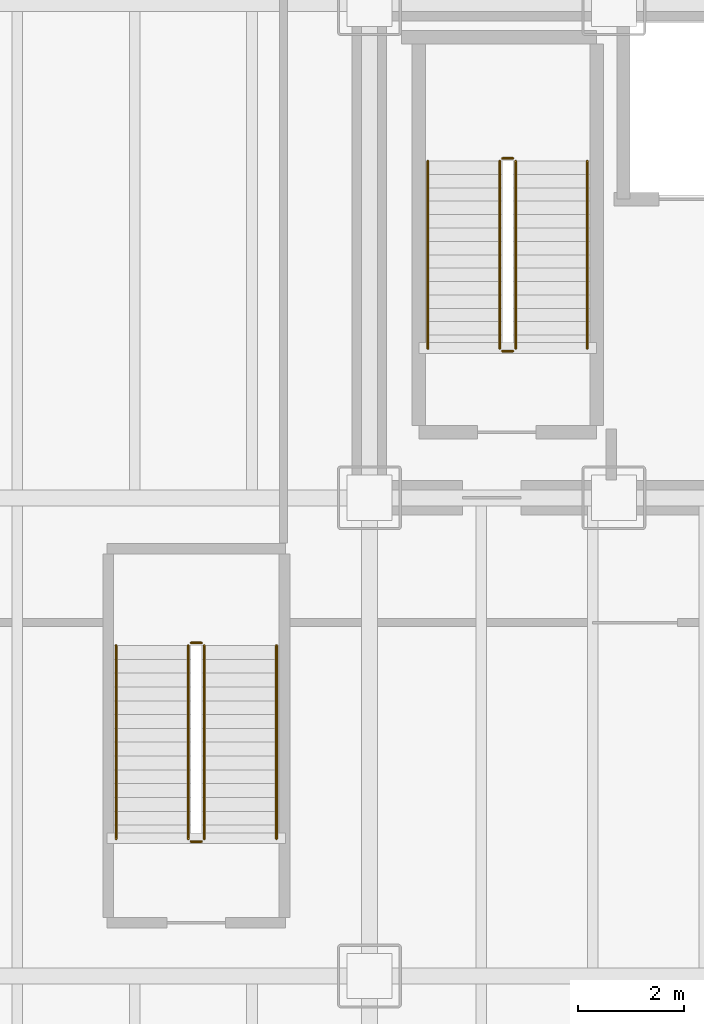
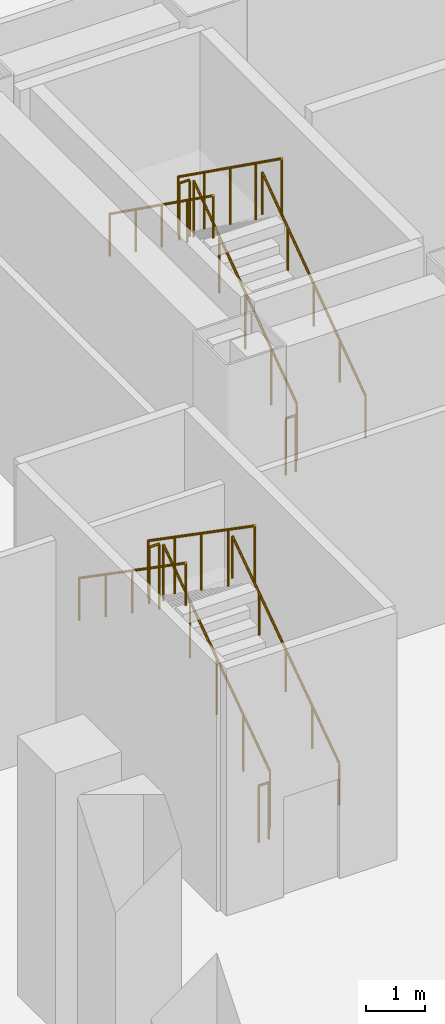
# One storey, part 27 of 31: 12 railings.
"""IFC4 building model written with IfcOpenShell, lengths in metres."""

from ifc_helpers import new_model, si_unit, direction, frame, origin, origin_2d, place, context, subcontext, project, spatial, circle, extrude, material, layer, layer_set, type_object, element, save


model = new_model("IFC4")

# Units and contexts
model_context = context("Model", 3, precision=1e-05, world=origin(), true_north=direction((0.0, 1.0)))
body_context = subcontext(model_context, "Body", "Model", "MODEL_VIEW")
ifc_project = project(units=[si_unit("LENGTHUNIT", "METRE"), si_unit("AREAUNIT", "SQUARE_METRE"), si_unit("VOLUMEUNIT", "CUBIC_METRE"), si_unit("PLANEANGLEUNIT", "RADIAN"), si_unit("MASSUNIT", "GRAM", prefix="KILO")], contexts=[model_context])

# Site, building, storey
site_placement = place(None, origin())
site = spatial("IfcSite", under=ifc_project, at=site_placement, CompositionType="ELEMENT")
building_placement = place(site_placement, origin())
building = spatial("IfcBuilding", under=site, at=building_placement, Name="Noeulbin Bourse Tower", CompositionType="ELEMENT")
storey_placement = place(building_placement, frame((0.0, 0.0, 11.199951171875)))
storey = spatial("IfcBuildingStorey", under=building, at=storey_placement, Name="L03", CompositionType="ELEMENT", Elevation=11.199951171875)

# Railings
ifc_material_1 = material(Name="Painted Tubular Steel S355", Category="steel")
ifc_layer_1 = layer(ifc_material_1, 0.048095703125)
ifc_layer_set_1 = layer_set([ifc_layer_1], Name="Painted Tubular Steel S355")
railing_type_1 = type_object("IfcRailingType", Name="RLG-STR-GRD", PredefinedType="GUARDRAIL", material=ifc_layer_set_1)
railing_1_placement = place(storey_placement, frame((16.25, 31.81005859375, 0.179931640625)))
element("IfcRailing", 1, at=railing_1_placement, inside=storey, type_object=railing_type_1, Name="L03 ST-1 stair guard 1", PredefinedType="GUARDRAIL", context=body_context, shape_type="SweptSolid", body=[
    extrude(circle(Radius=0.02392578125, at=origin_2d()), frame((0.0, 0.0, 1.17578125), z_axis=(0.0, 0.813718251284, 0.581259501021), x_axis=(-1.0, 0.0, 0.0)), (0.0, 0.0, 1.0), 4.33544921875),
    extrude(circle(Radius=0.02099609375, at=origin_2d()), origin(), (0.0, 0.0, 1.0), 1.15185546875),
    extrude(circle(Radius=0.02099609375, at=origin_2d()), frame((0.0, 0.8818359375, 0.6298828125)), (0.0, 0.0, 1.0), 1.15185546875),
    extrude(circle(Radius=0.02099609375, at=origin_2d()), frame((0.0, 1.763916015625, 1.260009765625)), (0.0, 0.0, 1.0), 1.15185546875),
    extrude(circle(Radius=0.02099609375, at=origin_2d()), frame((0.0, 2.64599609375, 1.89013671875)), (0.0, 0.0, 1.0), 1.15185546875),
    extrude(circle(Radius=0.02099609375, at=origin_2d()), frame((0.0, 3.52783203125, 2.52001953125)), (0.0, 0.0, 1.0), 1.15185546875),
])
railing_2_placement = place(storey_placement, frame((16.199951171875, 35.387939453125, 2.699951171875)))
element("IfcRailing", 2, at=railing_2_placement, inside=storey, type_object=railing_type_1, Name="L03 ST-1 stair guard 2", PredefinedType="GUARDRAIL", context=body_context, shape_type="SweptSolid", body=[
    extrude(circle(Radius=0.02392578125, at=origin_2d()), frame((0.0, 0.0, 1.17578125), z_axis=(-1.0, 0.0, 0.0), x_axis=(0.0, -1.0, 0.0)), (0.0, 0.0, 1.0), 0.199951171875),
    extrude(circle(Radius=0.02099609375, at=origin_2d()), origin(), (0.0, 0.0, 1.0), 1.15185546875),
    extrude(circle(Radius=0.02099609375, at=origin_2d()), frame((-0.199951171875, 0.0, 0.0)), (0.0, 0.0, 1.0), 1.15185546875),
])
railing_3_placement = place(storey_placement, frame((15.949951171875, 35.337890625, 2.880126953125)))
element("IfcRailing", 3, at=railing_3_placement, inside=storey, type_object=railing_type_1, Name="L03 ST-1 stair guard 3", PredefinedType="GUARDRAIL", context=body_context, shape_type="SweptSolid", body=[
    extrude(circle(Radius=0.02392578125, at=origin_2d()), frame((0.0, 0.0, 1.17578125), z_axis=(0.0, -0.813718251284, 0.581259501021), x_axis=(1.0, 0.0, 0.0)), (0.0, 0.0, 1.0), 4.33544921875),
    extrude(circle(Radius=0.02099609375, at=origin_2d()), origin(), (0.0, 0.0, 1.0), 1.15185546875),
    extrude(circle(Radius=0.02099609375, at=origin_2d()), frame((0.0, -0.8818359375, 0.6298828125)), (0.0, 0.0, 1.0), 1.15185546875),
    extrude(circle(Radius=0.02099609375, at=origin_2d()), frame((0.0, -1.763916015625, 1.260009765625)), (0.0, 0.0, 1.0), 1.15185546875),
    extrude(circle(Radius=0.02099609375, at=origin_2d()), frame((0.0, -2.64599609375, 1.89013671875)), (0.0, 0.0, 1.0), 1.15185546875),
    extrude(circle(Radius=0.02099609375, at=origin_2d()), frame((0.0, -3.52783203125, 2.52001953125)), (0.0, 0.0, 1.0), 1.15185546875),
])
railing_4_placement = place(storey_placement, frame((16.199951171875, 31.760009765625, 0.0)))
element("IfcRailing", 4, at=railing_4_placement, inside=storey, type_object=railing_type_1, Name="L03 ST-1 stair guard 4", PredefinedType="GUARDRAIL", context=body_context, shape_type="SweptSolid", body=[
    extrude(circle(Radius=0.02392578125, at=origin_2d()), frame((0.0, 0.0, 1.17578125), z_axis=(-1.0, 0.0, 0.0), x_axis=(0.0, -1.0, 0.0)), (0.0, 0.0, 1.0), 0.199951171875),
    extrude(circle(Radius=0.02099609375, at=origin_2d()), origin(), (0.0, 0.0, 1.0), 1.15185546875),
    extrude(circle(Radius=0.02099609375, at=origin_2d()), frame((-0.199951171875, 0.0, 0.0)), (0.0, 0.0, 1.0), 1.15185546875),
])
railing_5_placement = place(storey_placement, frame((10.389892578125, 22.580078125, 0.179931640625)))
element("IfcRailing", 5, at=railing_5_placement, inside=storey, type_object=railing_type_1, Name="L03 ST-P1 stair guard 1", PredefinedType="GUARDRAIL", context=body_context, shape_type="SweptSolid", body=[
    extrude(circle(Radius=0.02392578125, at=origin_2d()), frame((0.0, 0.0, 1.17578125), z_axis=(0.0, 0.822182265111, 0.569224316888), x_axis=(-1.0, 0.0, 0.0)), (0.0, 0.0, 1.0), 4.427001953125),
    extrude(circle(Radius=0.02099609375, at=origin_2d()), origin(), (0.0, 0.0, 1.0), 1.15185546875),
    extrude(circle(Radius=0.02099609375, at=origin_2d()), frame((0.0, 0.909912109375, 0.6298828125)), (0.0, 0.0, 1.0), 1.15185546875),
    extrude(circle(Radius=0.02099609375, at=origin_2d()), frame((0.0, 1.81982421875, 1.260009765625)), (0.0, 0.0, 1.0), 1.15185546875),
    extrude(circle(Radius=0.02099609375, at=origin_2d()), frame((0.0, 2.72998046875, 1.89013671875)), (0.0, 0.0, 1.0), 1.15185546875),
    extrude(circle(Radius=0.02099609375, at=origin_2d()), frame((0.0, 3.639892578125, 2.52001953125)), (0.0, 0.0, 1.0), 1.15185546875),
])
railing_6_placement = place(storey_placement, frame((10.340087890625, 26.27001953125, 2.699951171875)))
element("IfcRailing", 6, at=railing_6_placement, inside=storey, type_object=railing_type_1, Name="L03 ST-P1 stair guard 2", PredefinedType="GUARDRAIL", context=body_context, shape_type="SweptSolid", body=[
    extrude(circle(Radius=0.02392578125, at=origin_2d()), frame((0.0, 0.0, 1.17578125), z_axis=(-1.0, 0.0, 0.0), x_axis=(0.0, -1.0, 0.0)), (0.0, 0.0, 1.0), 0.2001953125),
    extrude(circle(Radius=0.02099609375, at=origin_2d()), origin(), (0.0, 0.0, 1.0), 1.15185546875),
    extrude(circle(Radius=0.02099609375, at=origin_2d()), frame((-0.2001953125, 0.0, 0.0)), (0.0, 0.0, 1.0), 1.15185546875),
])
railing_7_placement = place(storey_placement, frame((10.090087890625, 26.219970703125, 2.880126953125)))
element("IfcRailing", 7, at=railing_7_placement, inside=storey, type_object=railing_type_1, Name="L03 ST-P1 stair guard 3", PredefinedType="GUARDRAIL", context=body_context, shape_type="SweptSolid", body=[
    extrude(circle(Radius=0.02392578125, at=origin_2d()), frame((0.0, 0.0, 1.17578125), z_axis=(0.0, -0.822182265111, 0.569224316888), x_axis=(1.0, 0.0, 0.0)), (0.0, 0.0, 1.0), 4.427001953125),
    extrude(circle(Radius=0.02099609375, at=origin_2d()), origin(), (0.0, 0.0, 1.0), 1.15185546875),
    extrude(circle(Radius=0.02099609375, at=origin_2d()), frame((0.0, -0.909912109375, 0.6298828125)), (0.0, 0.0, 1.0), 1.15185546875),
    extrude(circle(Radius=0.02099609375, at=origin_2d()), frame((0.0, -1.81982421875, 1.260009765625)), (0.0, 0.0, 1.0), 1.15185546875),
    extrude(circle(Radius=0.02099609375, at=origin_2d()), frame((0.0, -2.72998046875, 1.89013671875)), (0.0, 0.0, 1.0), 1.15185546875),
    extrude(circle(Radius=0.02099609375, at=origin_2d()), frame((0.0, -3.639892578125, 2.52001953125)), (0.0, 0.0, 1.0), 1.15185546875),
])
railing_8_placement = place(storey_placement, frame((10.340087890625, 22.530029296875, 0.0)))
element("IfcRailing", 8, at=railing_8_placement, inside=storey, type_object=railing_type_1, Name="L03 ST-P1 stair guard 4", PredefinedType="GUARDRAIL", context=body_context, shape_type="SweptSolid", body=[
    extrude(circle(Radius=0.02392578125, at=origin_2d()), frame((0.0, 0.0, 1.17578125), z_axis=(-1.0, 0.0, 0.0), x_axis=(0.0, -1.0, 0.0)), (0.0, 0.0, 1.0), 0.2001953125),
    extrude(circle(Radius=0.02099609375, at=origin_2d()), origin(), (0.0, 0.0, 1.0), 1.15185546875),
    extrude(circle(Radius=0.02099609375, at=origin_2d()), frame((-0.2001953125, 0.0, 0.0)), (0.0, 0.0, 1.0), 1.15185546875),
])
ifc_material_2 = material(Name="Brushed Stainless Steel 316", Category="steel")
ifc_layer_2 = layer(ifc_material_2, 0.048095703125)
ifc_layer_set_2 = layer_set([ifc_layer_2], Name="Brushed Stainless Steel 316")
railing_type_2 = type_object("IfcRailingType", Name="RLG-STR-HND", PredefinedType="HANDRAIL", material=ifc_layer_set_2)
railing_9_placement = place(storey_placement, frame((17.60009765625, 31.81005859375, 0.179931640625)))
element("IfcRailing", 9, at=railing_9_placement, inside=storey, type_object=railing_type_2, Name="L03 ST-1 stair handrail 1", PredefinedType="HANDRAIL", context=body_context, shape_type="SweptSolid", body=[
    extrude(circle(Radius=0.02392578125, at=origin_2d()), frame((0.0, 0.0, 0.8759765625), z_axis=(0.0, 0.813718251284, 0.581259501021), x_axis=(-1.0, 0.0, 0.0)), (0.0, 0.0, 1.0), 4.33544921875),
    extrude(circle(Radius=0.02099609375, at=origin_2d()), origin(), (0.0, 0.0, 1.0), 0.851806640625),
    extrude(circle(Radius=0.02099609375, at=origin_2d()), frame((0.0, 0.8818359375, 0.6298828125)), (0.0, 0.0, 1.0), 0.851806640625),
    extrude(circle(Radius=0.02099609375, at=origin_2d()), frame((0.0, 1.763916015625, 1.260009765625)), (0.0, 0.0, 1.0), 0.851806640625),
    extrude(circle(Radius=0.02099609375, at=origin_2d()), frame((0.0, 2.64599609375, 1.89013671875)), (0.0, 0.0, 1.0), 0.851806640625),
    extrude(circle(Radius=0.02099609375, at=origin_2d()), frame((0.0, 3.52783203125, 2.52001953125)), (0.0, 0.0, 1.0), 0.851806640625),
])
railing_10_placement = place(storey_placement, frame((14.60009765625, 35.337890625, 2.880126953125)))
element("IfcRailing", 10, at=railing_10_placement, inside=storey, type_object=railing_type_2, Name="L03 ST-1 stair handrail 2", PredefinedType="HANDRAIL", context=body_context, shape_type="SweptSolid", body=[
    extrude(circle(Radius=0.02392578125, at=origin_2d()), frame((0.0, 0.0, 0.8759765625), z_axis=(0.0, -0.813718251284, 0.581259501021), x_axis=(1.0, 0.0, 0.0)), (0.0, 0.0, 1.0), 4.33544921875),
    extrude(circle(Radius=0.02099609375, at=origin_2d()), origin(), (0.0, 0.0, 1.0), 0.851806640625),
    extrude(circle(Radius=0.02099609375, at=origin_2d()), frame((0.0, -0.8818359375, 0.6298828125)), (0.0, 0.0, 1.0), 0.851806640625),
    extrude(circle(Radius=0.02099609375, at=origin_2d()), frame((0.0, -1.763916015625, 1.260009765625)), (0.0, 0.0, 1.0), 0.851806640625),
    extrude(circle(Radius=0.02099609375, at=origin_2d()), frame((0.0, -2.64599609375, 1.89013671875)), (0.0, 0.0, 1.0), 0.851806640625),
    extrude(circle(Radius=0.02099609375, at=origin_2d()), frame((0.0, -3.52783203125, 2.52001953125)), (0.0, 0.0, 1.0), 0.851806640625),
])
railing_11_placement = place(storey_placement, frame((11.75, 22.580078125, 0.179931640625)))
element("IfcRailing", 11, at=railing_11_placement, inside=storey, type_object=railing_type_2, Name="L03 ST-P1 stair handrail 1", PredefinedType="HANDRAIL", context=body_context, shape_type="SweptSolid", body=[
    extrude(circle(Radius=0.02392578125, at=origin_2d()), frame((0.0, 0.0, 0.8759765625), z_axis=(0.0, 0.822182265111, 0.569224316888), x_axis=(-1.0, 0.0, 0.0)), (0.0, 0.0, 1.0), 4.427001953125),
    extrude(circle(Radius=0.02099609375, at=origin_2d()), origin(), (0.0, 0.0, 1.0), 0.851806640625),
    extrude(circle(Radius=0.02099609375, at=origin_2d()), frame((0.0, 0.909912109375, 0.6298828125)), (0.0, 0.0, 1.0), 0.851806640625),
    extrude(circle(Radius=0.02099609375, at=origin_2d()), frame((0.0, 1.81982421875, 1.260009765625)), (0.0, 0.0, 1.0), 0.851806640625),
    extrude(circle(Radius=0.02099609375, at=origin_2d()), frame((0.0, 2.72998046875, 1.89013671875)), (0.0, 0.0, 1.0), 0.851806640625),
    extrude(circle(Radius=0.02099609375, at=origin_2d()), frame((0.0, 3.639892578125, 2.52001953125)), (0.0, 0.0, 1.0), 0.851806640625),
])
railing_12_placement = place(storey_placement, frame((8.72998046875, 26.219970703125, 2.880126953125)))
element("IfcRailing", 12, at=railing_12_placement, inside=storey, type_object=railing_type_2, Name="L03 ST-P1 stair handrail 2", PredefinedType="HANDRAIL", context=body_context, shape_type="SweptSolid", body=[
    extrude(circle(Radius=0.02392578125, at=origin_2d()), frame((0.0, 0.0, 0.8759765625), z_axis=(0.0, -0.822182265111, 0.569224316888), x_axis=(1.0, 0.0, 0.0)), (0.0, 0.0, 1.0), 4.427001953125),
    extrude(circle(Radius=0.02099609375, at=origin_2d()), origin(), (0.0, 0.0, 1.0), 0.851806640625),
    extrude(circle(Radius=0.02099609375, at=origin_2d()), frame((0.0, -0.909912109375, 0.6298828125)), (0.0, 0.0, 1.0), 0.851806640625),
    extrude(circle(Radius=0.02099609375, at=origin_2d()), frame((0.0, -1.81982421875, 1.260009765625)), (0.0, 0.0, 1.0), 0.851806640625),
    extrude(circle(Radius=0.02099609375, at=origin_2d()), frame((0.0, -2.72998046875, 1.89013671875)), (0.0, 0.0, 1.0), 0.851806640625),
    extrude(circle(Radius=0.02099609375, at=origin_2d()), frame((0.0, -3.639892578125, 2.52001953125)), (0.0, 0.0, 1.0), 0.851806640625),
])

save(model, "model.ifc")
